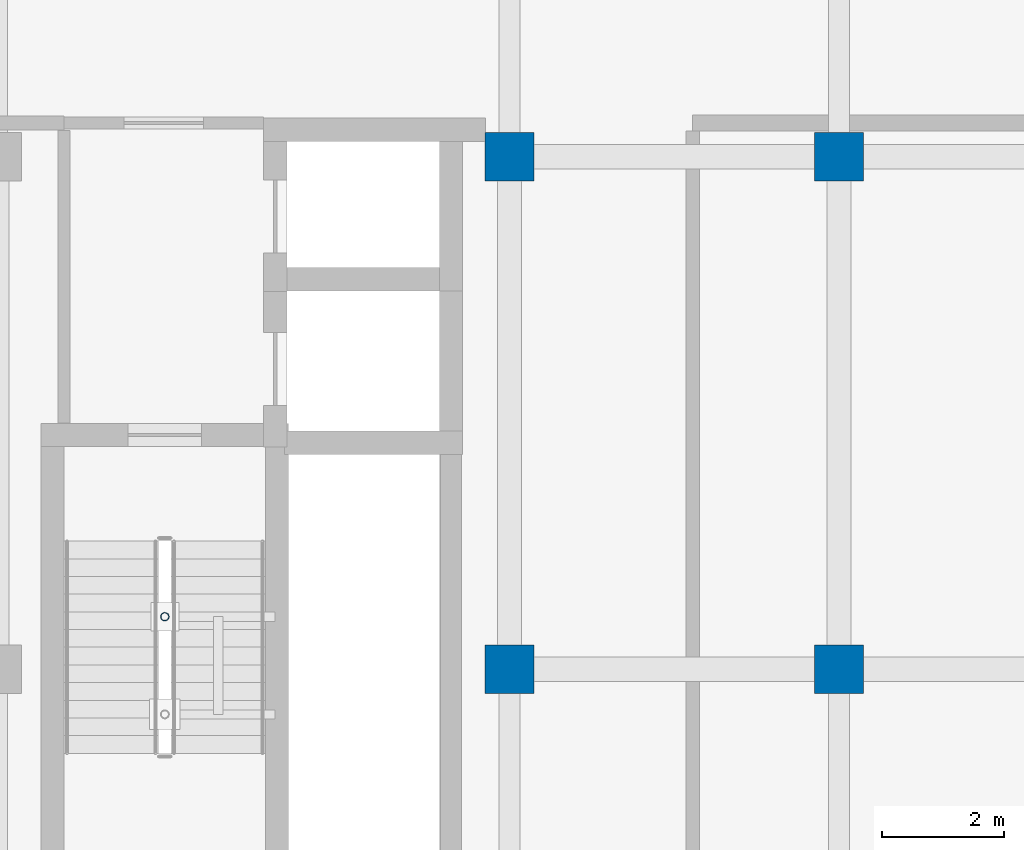
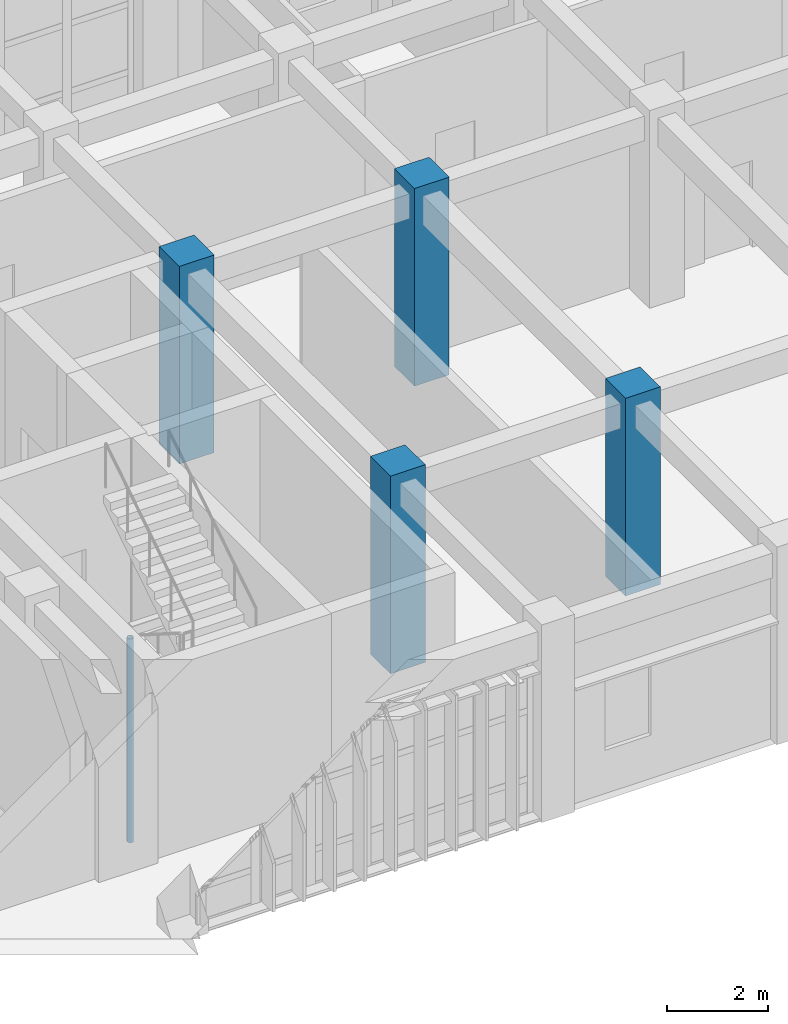
# One storey, part 3 of 76: 5 columns.
"""IFC4 building model written with IfcOpenShell, lengths in metres."""

from ifc_helpers import new_model, si_unit, direction, frame, origin, origin_2d, place, context, subcontext, project, spatial, rectangle, hollow_circle, extrude, material, material_profile, profile_set, type_object, element, save


model = new_model("IFC4")

# Units and contexts
model_context = context("Model", 3, precision=1e-05, world=origin(), true_north=direction((0.0, 1.0)))
body_context = subcontext(model_context, "Body", "Model", "MODEL_VIEW")
ifc_project = project(units=[si_unit("LENGTHUNIT", "METRE"), si_unit("AREAUNIT", "SQUARE_METRE"), si_unit("VOLUMEUNIT", "CUBIC_METRE"), si_unit("PLANEANGLEUNIT", "RADIAN"), si_unit("MASSUNIT", "GRAM", prefix="KILO")], contexts=[model_context])

# Site, building, storey
site_placement = place(None, origin())
site = spatial("IfcSite", under=ifc_project, at=site_placement, CompositionType="ELEMENT")
building_placement = place(site_placement, origin())
building = spatial("IfcBuilding", under=site, at=building_placement, Name="Krzemoval Escarpment Law Courts", CompositionType="ELEMENT")
storey_placement = place(building_placement, frame((0.0, 0.0, 20.39990234375)))
storey = spatial("IfcBuildingStorey", under=building, at=storey_placement, Name="L04", CompositionType="ELEMENT", Elevation=20.39990234375)

# Columns
ifc_material_1 = material(Name="Concrete C40/50", Category="concrete")
ifc_material_profile_1 = material_profile(ifc_material_1, rectangle(XDim=0.800048828125, YDim=0.800048828125, at=origin_2d()), Name="RC 800x800")
ifc_profile_set_1 = profile_set([ifc_material_profile_1], Name="Concrete C40/50")
column_type_1 = type_object("IfcColumnType", Name="COL-RC-800", PredefinedType="COLUMN", material=ifc_profile_set_1)
for number, where, z_axis, x_axis, name in (
    (1, (151.199951171875, 99.60009765625, 0.0), (0.0, 0.0, 1.0), (1.0, 0.0, 0.0), "Column FC-L04-1224"),
    (2, (151.199951171875, 108.0, 0.0), (0.0, 0.0, 1.0), (1.0, 0.0, 0.0), "Column FC-L04-1225"),
    (3, (156.60009765625, 99.60009765625, 0.0), (0.0, 0.0, 1.0), (1.0, 0.0, 0.0), "Column FC-L04-1229"),
    (4, (156.60009765625, 108.0, 0.0), (0.0, 0.0, 1.0), (1.0, 0.0, 0.0), "Column FC-L04-1230"),
):
    element("IfcColumn", number, at=place(storey_placement, frame(where, z_axis=z_axis, x_axis=x_axis)), inside=storey, type_object=column_type_1, Name=name, PredefinedType="COLUMN", context=body_context, shape_type="SweptSolid", body=[
        extrude(rectangle(XDim=0.800048828125, YDim=0.800048828125, at=origin_2d()), origin(), (0.0, 0.0, 1.0), 4.800048828125),
    ])
ifc_material_2 = material(Name="Steel S355", Category="steel")
ifc_material_profile_2 = material_profile(ifc_material_2, hollow_circle(Radius=0.06982421875, WallThickness=0.008056640625, at=origin_2d()), Name="CHS 139.7x8")
ifc_profile_set_2 = profile_set([ifc_material_profile_2], Name="Steel S355")
column_type_2 = type_object("IfcColumnType", Name="COL-S355-CHS140", PredefinedType="COLUMN", material=ifc_profile_set_2)
column_placement = place(storey_placement, frame((145.550048828125, 100.4599609375, -2.97998046875), z_axis=(0.0, 0.0, 1.0), x_axis=(1.0, 0.0, 0.0)))
element("IfcColumn", 5, at=column_placement, inside=storey, type_object=column_type_2, Name="Stair Well Post SCP-C3-L04-2", PredefinedType="COLUMN", context=body_context, shape_type="SweptSolid", body=[
    extrude(hollow_circle(Radius=0.06982421875, WallThickness=0.008056640625, at=origin_2d()), origin(), (0.0, 0.0, 1.0), 4.9501953125),
])

save(model, "model.ifc")
